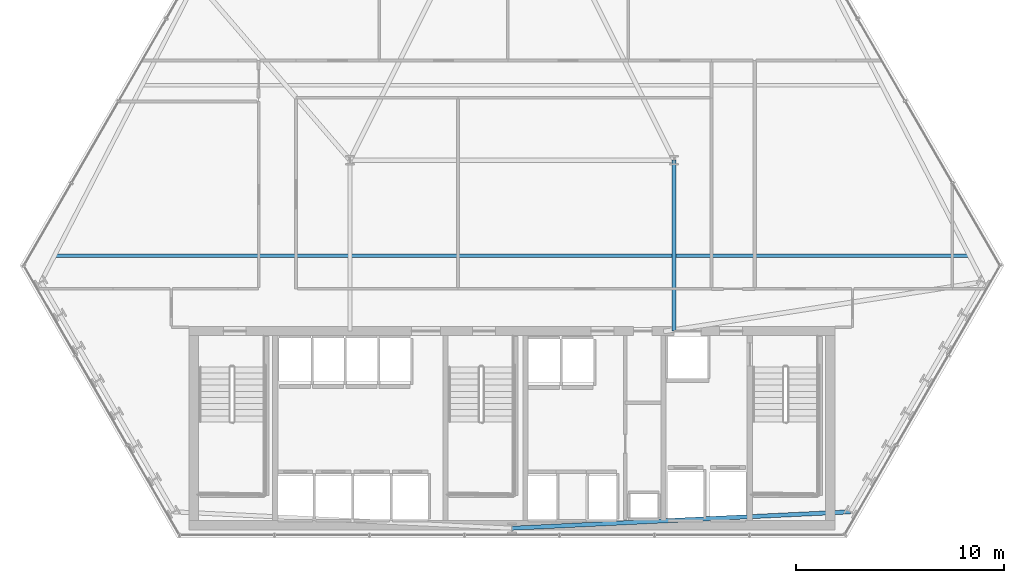
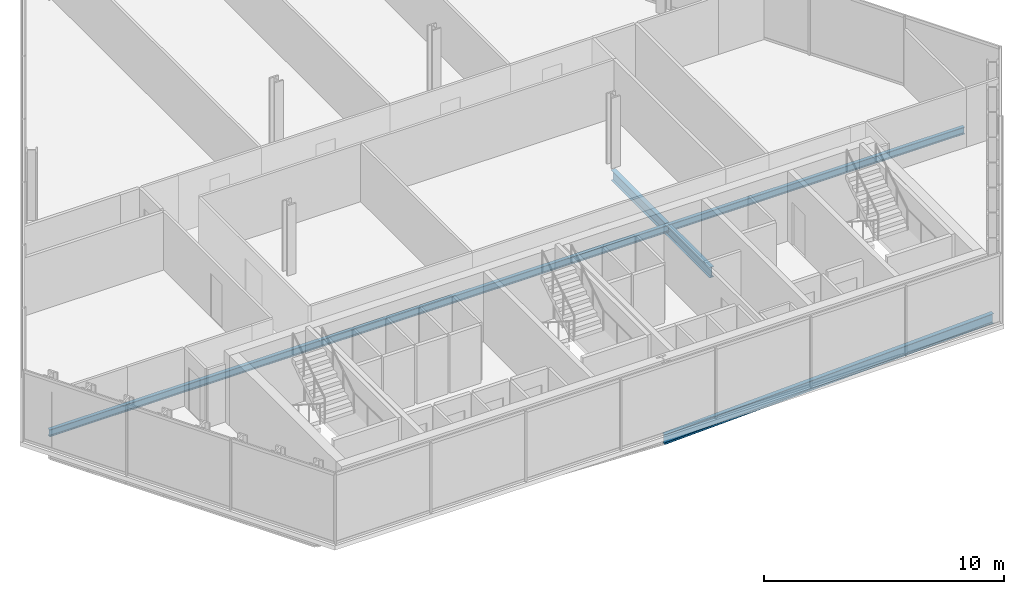
# One storey, part 10 of 32: 3 beams.
"""IFC4 building model written with IfcOpenShell, lengths in metres."""

import ifcopenshell
import ifcopenshell.guid

model = None  # the IFC model being written
_history = None  # IfcOwnerHistory: only IFC2X3 demands one
_inside = {}  # id of a spatial element -> (the spatial element, [elements in it])
_under = {}  # id of a project, library or spatial element -> (it, [spatial elements below it])
_declared = {}  # id of a project -> (the project, [libraries it declares])
_typed = {}  # id of a type object -> (the type object, [elements of that type])
_made_of = {}  # id of a material, layer set ... -> (it, [elements and type objects made of it])


def new_model(schema):
    """Start an empty IFC model of exactly this schema.

    Asked for "IFC4X3", IfcOpenShell would pick the latest addendum, in which some entities
    have other attributes; the version numbers below select the first issue.
    IFC2X3 requires an IfcOwnerHistory on every rooted entity: one is made here for all.
    """
    global model, _history
    if schema == "IFC4X3":
        model = ifcopenshell.file(schema_version=(4, 3, 0, 0))
    else:
        model = ifcopenshell.file(schema=schema)
    _inside.clear()
    _under.clear()
    _declared.clear()
    _typed.clear()
    _made_of.clear()
    _history = None
    if model.schema == "IFC2X3":
        org = make("IfcOrganization", Name="unknown")
        user = make(
            "IfcPersonAndOrganization",
            ThePerson=make("IfcPerson", FamilyName="unknown"),
            TheOrganization=org,
        )
        app = make(
            "IfcApplication",
            ApplicationDeveloper=org,
            Version="unknown",
            ApplicationFullName="unknown",
            ApplicationIdentifier="unknown",
        )
        _history = make(
            "IfcOwnerHistory",
            OwningUser=user,
            OwningApplication=app,
            ChangeAction="ADDED",
            CreationDate=0,
        )
    return model


def make(cls, **values):
    """One entity of the class cls with the attributes given. An attribute that is None is left unset."""
    return model.create_entity(
        cls, **{name: value for name, value in values.items() if value is not None}
    )


def rooted(cls, **values):
    """An entity with a GlobalId (a new one), such as an element, a storey or a relation."""
    return make(cls, GlobalId=ifcopenshell.guid.new(), OwnerHistory=_history, **values)


def si_unit(unit_type, name, prefix=None):
    """IfcSIUnit, for example si_unit("LENGTHUNIT", "METRE", prefix="MILLI")."""
    return make("IfcSIUnit", UnitType=unit_type, Prefix=prefix, Name=name)


def assignment(units):
    """IfcUnitAssignment: the units of a project."""
    return None if units is None else make("IfcUnitAssignment", Units=units)


def point(xyz):
    """IfcCartesianPoint."""
    return None if xyz is None else make("IfcCartesianPoint", Coordinates=xyz)


def direction(xyz):
    """IfcDirection."""
    return None if xyz is None else make("IfcDirection", DirectionRatios=xyz)


def frame(location, z_axis=None, x_axis=None):
    """IfcAxis2Placement3D, a coordinate frame: its origin and axes. An axis left out is left unset."""
    return make(
        "IfcAxis2Placement3D",
        Location=point(location),
        Axis=direction(z_axis),
        RefDirection=direction(x_axis),
    )


def frame_2d(location, x_axis=None):
    """IfcAxis2Placement2D, a coordinate frame in the plane: its origin and x axis."""
    return make(
        "IfcAxis2Placement2D", Location=point(location), RefDirection=direction(x_axis)
    )


def origin():
    """The frame at (0, 0, 0) with its axes left unset."""
    return frame((0.0, 0.0, 0.0))


def origin_2d():
    """The frame at (0, 0) in the plane with its x axis left unset."""
    return frame_2d((0.0, 0.0))


def place(relative_to, where):
    """IfcLocalPlacement: puts the frame where relative to a parent placement (None: the world)."""
    return make(
        "IfcLocalPlacement", PlacementRelTo=relative_to, RelativePlacement=where
    )


def context(
    kind, dimensions, precision=None, world=None, true_north=None, identifier=None
):
    """IfcGeometricRepresentationContext, for example the 3D "Model" context."""
    return make(
        "IfcGeometricRepresentationContext",
        ContextIdentifier=identifier,
        ContextType=kind,
        CoordinateSpaceDimension=dimensions,
        Precision=precision,
        WorldCoordinateSystem=world,
        TrueNorth=true_north,
    )


def subcontext(parent, identifier, kind, view, scale=None):
    """IfcGeometricRepresentationSubContext, for example "Body" below "Model"."""
    return make(
        "IfcGeometricRepresentationSubContext",
        ContextIdentifier=identifier,
        ContextType=kind,
        ParentContext=parent,
        TargetScale=scale,
        TargetView=view,
    )


def project(units=None, contexts=None):
    """IfcProject with its units and contexts."""
    return rooted(
        "IfcProject",
        Name="project",
        RepresentationContexts=contexts,
        UnitsInContext=assignment(units),
    )


def spatial(cls, under=None, at=None, **own):
    """A site, building, storey or space (cls), placed at a placement, below another one or the project."""
    s = rooted(cls, ObjectPlacement=at, **own)
    if under is not None:
        _under.setdefault(under.id(), (under, []))[1].append(s)
    return s


def profile(cls, at=None, kind="AREA", **sizes):
    """A parametric profile (cls). Its sizes go by their IFC names, for example OverallWidth=200.0."""
    return make(cls, ProfileType=kind, Position=at, **sizes)


def i_section(**sizes):
    """IfcIShapeProfileDef."""
    return profile("IfcIShapeProfileDef", **sizes)


def extrude(swept, where, along, depth):
    """IfcExtrudedAreaSolid: the profile swept, set in the frame where, extruded along a direction by depth."""
    return make(
        "IfcExtrudedAreaSolid",
        SweptArea=swept,
        Position=where,
        ExtrudedDirection=direction(along),
        Depth=depth,
    )


def shape(context_of_items, identifier, shape_type, items):
    """IfcShapeRepresentation: the items that make up one representation, for example the "Body"."""
    return make(
        "IfcShapeRepresentation",
        ContextOfItems=context_of_items,
        RepresentationIdentifier=identifier,
        RepresentationType=shape_type,
        Items=items,
    )


def material(Name=None, Category=None):
    """IfcMaterial."""
    return make("IfcMaterial", Name=Name, Category=Category)


def material_profile(
    of_material, cross_section, Name=None, Category=None, Priority=None
):
    """IfcMaterialProfile: a cross section and its material."""
    return make(
        "IfcMaterialProfile",
        Name=Name,
        Material=of_material,
        Profile=cross_section,
        Priority=Priority,
        Category=Category,
    )


def profile_set(profiles, Name=None, composite=None):
    """IfcMaterialProfileSet."""
    return make(
        "IfcMaterialProfileSet",
        Name=Name,
        MaterialProfiles=profiles,
        CompositeProfile=composite,
    )


def made_of(thing, what):
    """Note that an element or type object is made of a material, layer set ...; save() writes the relation."""
    if what is not None:
        _made_of.setdefault(what.id(), (what, []))[1].append(thing)
    return thing


def type_object(cls, material=None, **own):
    """A type object (cls), such as IfcWallType, which elements share."""
    return made_of(rooted(cls, **own), material)


def element(
    cls,
    number,
    at=None,
    inside=None,
    cuts=None,
    type_object=None,
    material=None,
    context=None,
    identifier="Body",
    shape_type=None,
    held_by="IfcProductDefinitionShape",
    body=None,
    shapes=None,
    **own,
):
    """One element of the class cls, such as IfcWall. Its Tag is "e" and its number.

    at: its placement. inside: the storey or other place that contains it. cuts: it is an
    opening in that element (IfcRelVoidsElement). A single representation is given by context,
    identifier, shape_type and body (its items); several are given by shapes. held_by: the class
    of the entity that holds the representations. save() writes the other relations.
    """
    e = rooted(cls, Tag="e%d" % number, ObjectPlacement=at, **own)
    if body is not None:
        shapes = [shape(context, identifier, shape_type, body)]
    if shapes is not None:
        e.Representation = make(held_by, Representations=shapes)
    if inside is not None:
        _inside.setdefault(inside.id(), (inside, []))[1].append(e)
    if cuts is not None:
        rooted(
            "IfcRelVoidsElement", RelatingBuildingElement=cuts, RelatedOpeningElement=e
        )
    if type_object is not None:
        _typed.setdefault(type_object.id(), (type_object, []))[1].append(e)
    return made_of(e, material)


def aggregate(whole, parts):
    """IfcRelAggregates: a whole, such as a stair, and the parts it consists of."""
    return rooted("IfcRelAggregates", RelatingObject=whole, RelatedObjects=parts)


def save(model, path):
    """Write the relations noted so far, then the file.

    IfcRelAggregates (storeys below a building ...), IfcRelContainedInSpatialStructure (elements
    in a storey), IfcRelDefinesByType, IfcRelAssociatesMaterial and IfcRelDeclares: one each for
    every whole, place, type object, material and project.
    """
    for whole, parts in _under.values():
        aggregate(whole, parts)
    for where, things in _inside.values():
        rooted(
            "IfcRelContainedInSpatialStructure",
            RelatedElements=things,
            RelatingStructure=where,
        )
    for kind, things in _typed.values():
        rooted("IfcRelDefinesByType", RelatedObjects=things, RelatingType=kind)
    for what, things in _made_of.values():
        rooted("IfcRelAssociatesMaterial", RelatedObjects=things, RelatingMaterial=what)
    for by, libraries in _declared.values():
        rooted("IfcRelDeclares", RelatingContext=by, RelatedDefinitions=libraries)
    model.write(path)


model = new_model("IFC4")

# Units and contexts
model_context = context("Model", 3, precision=1e-05, world=origin(), true_north=direction((0.0, 1.0)))
body_context = subcontext(model_context, "Body", "Model", "MODEL_VIEW")
ifc_project = project(units=[si_unit("LENGTHUNIT", "METRE"), si_unit("AREAUNIT", "SQUARE_METRE"), si_unit("VOLUMEUNIT", "CUBIC_METRE"), si_unit("PLANEANGLEUNIT", "RADIAN"), si_unit("MASSUNIT", "GRAM", prefix="KILO")], contexts=[model_context])

# Site, building, storey
site_placement = place(None, origin())
site = spatial("IfcSite", under=ifc_project, at=site_placement, CompositionType="ELEMENT")
building_placement = place(site_placement, origin())
building = spatial("IfcBuilding", under=site, at=building_placement, Name="Ndaravel Arena Tower", CompositionType="ELEMENT")
storey_placement = place(building_placement, frame((0.0, 0.0, 74.0)))
storey = spatial("IfcBuildingStorey", under=building, at=storey_placement, Name="L16", CompositionType="ELEMENT", Elevation=74.0)

# Beams
ifc_material_1 = material(Name="Steel S355", Category="steel")
ifc_material_profile_1 = material_profile(ifc_material_1, i_section(OverallWidth=0.210693359375, OverallDepth=0.53955078125, WebThickness=0.01171875, FlangeThickness=0.018798828125, FilletRadius=0.0126953125, at=origin_2d()), Name="UB 533x210x109")
ifc_profile_set_1 = profile_set([ifc_material_profile_1], Name="Steel S355")
beam_type_1 = type_object("IfcBeamType", Name="BM-GIRD-UB533", PredefinedType="BEAM", material=ifc_profile_set_1)
beam_1_placement = place(storey_placement, frame((49.800048828125, 14.97998046875, -0.48974609375), z_axis=(0.0, 1.0, 0.0), x_axis=(-1.0, 0.0, 0.0)))
element("IfcBeam", 1, at=beam_1_placement, inside=storey, type_object=beam_type_1, Name="L16 Spine Link Girder SLG-02", PredefinedType="BEAM", context=body_context, shape_type="SweptSolid", body=[
    extrude(i_section(OverallWidth=0.210693359375, OverallDepth=0.53955078125, WebThickness=0.01171875, FlangeThickness=0.018798828125, FilletRadius=0.0126953125, at=origin_2d()), origin(), (0.0, 0.0, 1.0), 8.219970703125),
])
ifc_material_2 = material(Name="Steel S355", Category="steel")
ifc_material_profile_2 = material_profile(ifc_material_2, i_section(OverallWidth=0.169921875, OverallDepth=0.360107421875, WebThickness=0.008056640625, FlangeThickness=0.0126953125, FilletRadius=0.01806640625, at=origin_2d()), Name="IPE 360")
ifc_profile_set_2 = profile_set([ifc_material_profile_2], Name="Steel S355")
beam_type_2 = type_object("IfcBeamType", Name="BM-JOIST-IPE360", PredefinedType="JOIST", material=ifc_profile_set_2)
beam_2_placement = place(storey_placement, frame((19.974365234375, 18.60009765625, -0.39990234375), z_axis=(1.0, 0.0, 0.0), x_axis=(0.0, 1.0, 0.0)))
element("IfcBeam", 2, at=beam_2_placement, inside=storey, type_object=beam_type_2, Name="L16 Composite Floor Joist FJ-01", PredefinedType="JOIST", context=body_context, shape_type="SweptSolid", body=[
    extrude(i_section(OverallWidth=0.169921875, OverallDepth=0.360107421875, WebThickness=0.008056640625, FlangeThickness=0.0126953125, FilletRadius=0.01806640625, at=origin_2d()), origin(), (0.0, 0.0, 1.0), 44.05126953125),
])
ifc_material_3 = material(Name="Steel S355", Category="steel")
ifc_material_profile_3 = material_profile(ifc_material_3, i_section(OverallWidth=0.199951171875, OverallDepth=0.5, WebThickness=0.01025390625, FlangeThickness=0.01611328125, FilletRadius=0.02099609375, at=origin_2d()), Name="IPE 500")
ifc_profile_set_3 = profile_set([ifc_material_profile_3], Name="Steel S355")
beam_type_3 = type_object("IfcBeamType", Name="BM-SPAN-IPE500", PredefinedType="SPANDREL", material=ifc_profile_set_3)
beam_3_placement = place(storey_placement, frame((42.0, 5.47998046875, -0.469970703125), z_axis=(0.99882408685, 0.048481373006, 0.0), x_axis=(-0.048481373006, 0.99882408685, 0.0)))
element("IfcBeam", 3, at=beam_3_placement, inside=storey, type_object=beam_type_3, Name="L16 Perimeter Spandrel Beam SP-01", PredefinedType="SPANDREL", context=body_context, shape_type="SweptSolid", body=[
    extrude(i_section(OverallWidth=0.199951171875, OverallDepth=0.5, WebThickness=0.01025390625, FlangeThickness=0.01611328125, FilletRadius=0.02099609375, at=origin_2d()), origin(), (0.0, 0.0, 1.0), 16.305908203125),
])

save(model, "model.ifc")
